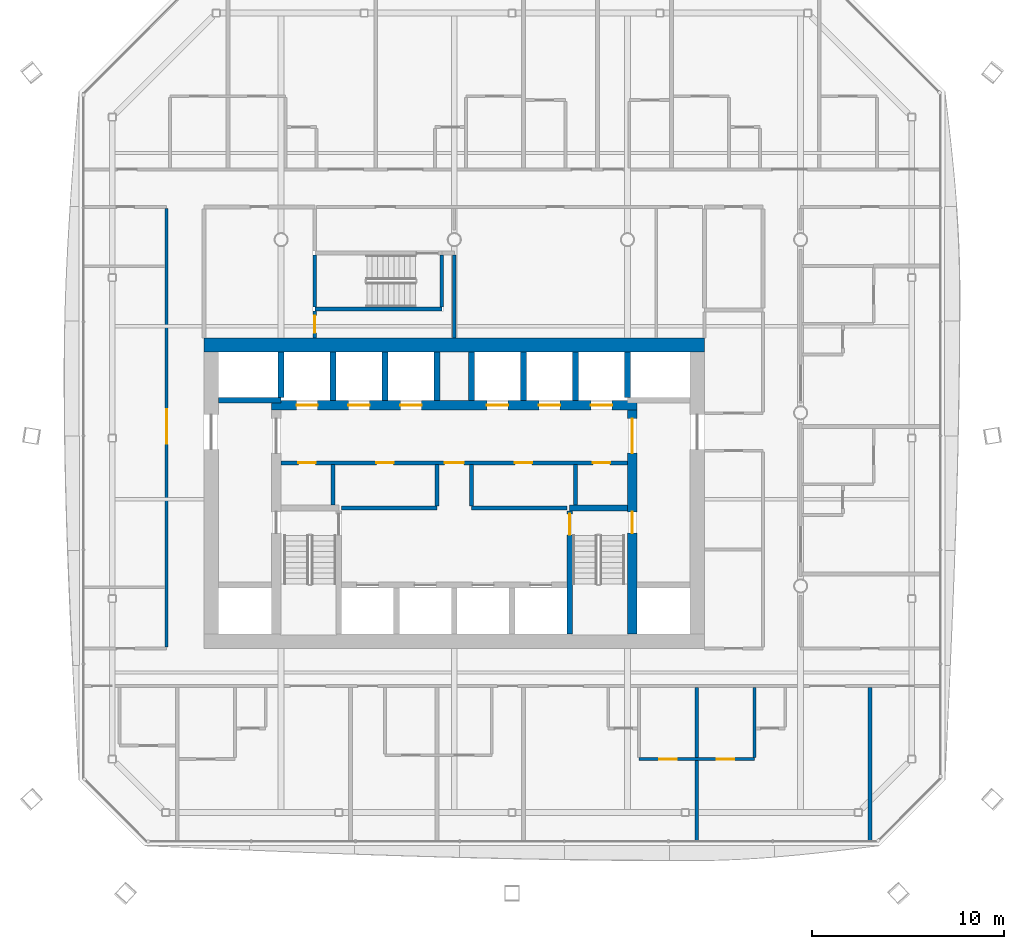
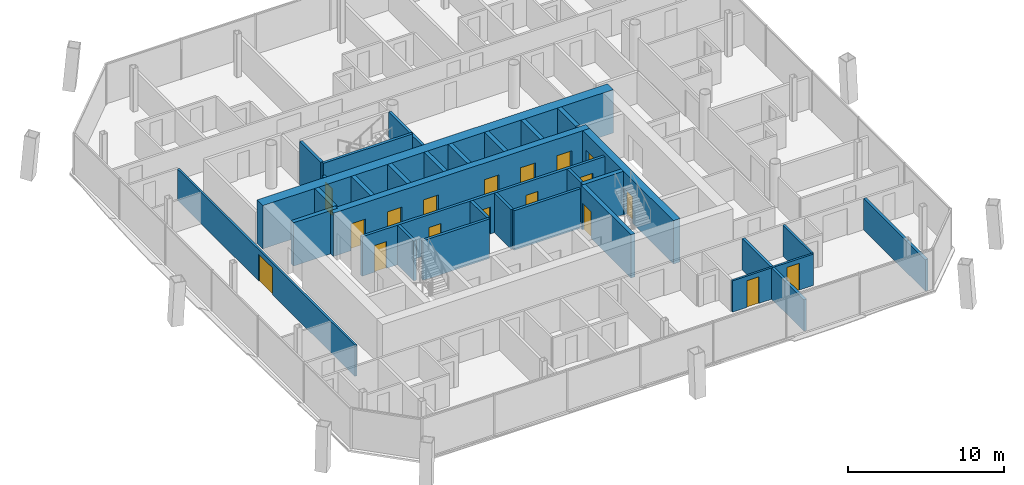
# One storey, part 14 of 21: 31 walls, 18 doors, 18 openings.
"""IFC4 building model written with IfcOpenShell, lengths in metres."""

from ifc_helpers import new_model, si_unit, direction, frame, frame_2d, origin, place, context, subcontext, project, spatial, rectangle, extrude, material, layer, layer_set, type_object, element, fill, save


model = new_model("IFC4")

# Units and contexts
model_context = context("Model", 3, precision=1e-05, world=origin(), true_north=direction((0.0, 1.0)))
body_context = subcontext(model_context, "Body", "Model", "MODEL_VIEW")
ifc_project = project(units=[si_unit("LENGTHUNIT", "METRE"), si_unit("AREAUNIT", "SQUARE_METRE"), si_unit("VOLUMEUNIT", "CUBIC_METRE"), si_unit("PLANEANGLEUNIT", "RADIAN"), si_unit("MASSUNIT", "GRAM", prefix="KILO")], contexts=[model_context])

# Site, building, storey
site_placement = place(None, origin())
site = spatial("IfcSite", under=ifc_project, at=site_placement, CompositionType="ELEMENT")
building_placement = place(site_placement, origin())
building = spatial("IfcBuilding", under=site, at=building_placement, Name="Tskaro Facet Tower", CompositionType="ELEMENT")
storey_placement = place(building_placement, frame((0.0, 0.0, 148.699951171875)))
storey = spatial("IfcBuildingStorey", under=building, at=storey_placement, Name="L36", CompositionType="ELEMENT", Elevation=148.699951171875)

# Walls
ifc_material_1 = material(Name="Concrete C60/75", Category="concrete")
ifc_layer_1 = layer(ifc_material_1, 0.300048828125, Name="Concrete C60/75")
ifc_layer_set_1 = layer_set([ifc_layer_1], Name="Concrete C60/75")
wall_type_1 = type_object("IfcWallType", Name="CORE-SHAFT", PredefinedType="SHEAR", material=ifc_layer_set_1)
wall_1_placement = place(storey_placement, frame((6.0, -4.949951171875, 0.0), z_axis=(0.0, 0.0, 1.0), x_axis=(1.0, 0.0, 0.0)))
element("IfcWall", 1, at=wall_1_placement, inside=storey, type_object=wall_type_1, Name="Shaft wall W022", PredefinedType="SHEAR", context=body_context, shape_type="SweptSolid", body=[
    extrude(rectangle(XDim=3.0, YDim=0.300048828125, at=frame_2d((1.5, 0.0))), origin(), (0.0, 0.0, 1.0), 3.400146484375),
])
wall_2_placement = place(storey_placement, frame((-9.0, 0.64990234375, 0.0), z_axis=(0.0, 0.0, 1.0), x_axis=(-1.0, 0.0, 0.0)))
element("IfcWall", 2, at=wall_2_placement, inside=storey, type_object=wall_type_1, Name="Shaft wall W028", PredefinedType="SHEAR", context=body_context, shape_type="SweptSolid", body=[
    extrude(rectangle(XDim=3.25, YDim=0.300048828125, at=frame_2d((1.625, 0.0))), origin(), (0.0, 0.0, 1.0), 3.400146484375),
])
wall_3_placement = place(storey_placement, frame((-9.0, 0.800048828125, 0.0), z_axis=(0.0, 0.0, 1.0), x_axis=(0.0, 1.0, 0.0)))
element("IfcWall", 3, at=wall_3_placement, inside=storey, type_object=wall_type_1, Name="Shaft wall W062", PredefinedType="SHEAR", context=body_context, shape_type="SweptSolid", body=[
    extrude(rectangle(XDim=2.349853515625, YDim=0.300048828125, at=frame_2d((1.1748046875, 0.0))), origin(), (0.0, 0.0, 1.0), 3.400146484375),
])
for number, where, z_axis, x_axis, name in (
    (4, (-6.300048828125, 0.64990234375, 0.0), (0.0, 0.0, 1.0), (0.0, 1.0, 0.0), "Shaft wall W069"),
    (5, (-3.60009765625, 0.64990234375, 0.0), (0.0, 0.0, 1.0), (0.0, 1.0, 0.0), "Shaft wall W074"),
    (6, (-0.89990234375, 0.64990234375, 0.0), (0.0, 0.0, 1.0), (0.0, 1.0, 0.0), "Shaft wall W079"),
    (7, (0.89990234375, 0.64990234375, 0.0), (0.0, 0.0, 1.0), (0.0, 1.0, 0.0), "Shaft wall W086"),
    (8, (3.60009765625, 0.64990234375, 0.0), (0.0, 0.0, 1.0), (0.0, 1.0, 0.0), "Shaft wall W090"),
):
    element("IfcWall", number, at=place(storey_placement, frame(where, z_axis=z_axis, x_axis=x_axis)), inside=storey, type_object=wall_type_1, Name=name, PredefinedType="SHEAR", context=body_context, shape_type="SweptSolid", body=[
        extrude(rectangle(XDim=2.5, YDim=0.300048828125, at=frame_2d((1.25, 0.0))), origin(), (0.0, 0.0, 1.0), 3.400146484375),
    ])

# Wall, opening, door
wall_4_placement = place(storey_placement, frame((6.0, -5.10009765625, 0.0), z_axis=(0.0, 0.0, 1.0), x_axis=(0.0, -1.0, 0.0)))
wall_4 = element("IfcWall", 9, at=wall_4_placement, inside=storey, type_object=wall_type_1, Name="Shaft wall W093", PredefinedType="SHEAR", context=body_context, shape_type="SweptSolid", body=[
    extrude(rectangle(XDim=6.39990234375, YDim=0.300048828125, at=frame_2d((3.199951171875, 0.0))), origin(), (0.0, 0.0, 1.0), 3.400146484375),
])
opening_1_placement = place(wall_4_placement, frame((0.14990234375, 0.0, 0.0)))
opening_1 = element("IfcOpeningElement", 10, at=opening_1_placement, cuts=wall_4, Name="Opening ST-2-D1", PredefinedType="OPENING", context=body_context, shape_type="SweptSolid", body=[
    extrude(rectangle(XDim=1.10009765625, YDim=2.10009765625, at=frame_2d((0.550048828125, 1.050048828125))), frame((0.0, 0.159912109375, 0.0), z_axis=(0.0, -1.0, 0.0), x_axis=(1.0, 0.0, 0.0)), (0.0, 0.0, 1.0), 0.320068359375),
])
ifc_material_2 = material(Name="Steel", Category="steel")
door_type_1 = type_object("IfcDoorType", Name="D-STAIR", OperationType="NOTDEFINED", PredefinedType="DOOR", material=ifc_material_2)
door_1_placement = place(opening_1_placement, origin())
door_1 = element("IfcDoor", 11, at=door_1_placement, inside=storey, type_object=door_type_1, Name="Stair door 2", OperationType="SINGLE_SWING_RIGHT", OverallHeight=2.10009765625, OverallWidth=1.10009765625, PredefinedType="DOOR", context=body_context, shape_type="SweptSolid", body=[
    extrude(rectangle(XDim=1.10009765625, YDim=2.10009765625, at=frame_2d((0.550048828125, 1.050048828125))), frame((0.0, 0.02490234375, 0.0), z_axis=(0.0, -1.0, 0.0), x_axis=(1.0, 0.0, 0.0)), (0.0, 0.0, 1.0), 0.050048828125),
])
fill(opening_1, door_1)

# Walls
wall_5_placement = place(storey_placement, frame((6.300048828125, 0.64990234375, 0.0), z_axis=(0.0, 0.0, 1.0), x_axis=(0.0, 1.0, 0.0)))
element("IfcWall", 12, at=wall_5_placement, inside=storey, type_object=wall_type_1, Name="Shaft wall W095", PredefinedType="SHEAR", context=body_context, shape_type="SweptSolid", body=[
    extrude(rectangle(XDim=2.5, YDim=0.300048828125, at=frame_2d((1.25, 0.0))), origin(), (0.0, 0.0, 1.0), 3.400146484375),
])
wall_6_placement = place(storey_placement, frame((9.0, 0.800048828125, 0.0), z_axis=(0.0, 0.0, 1.0), x_axis=(0.0, 1.0, 0.0)))
element("IfcWall", 13, at=wall_6_placement, inside=storey, type_object=wall_type_1, Name="Shaft wall W098", PredefinedType="SHEAR", context=body_context, shape_type="SweptSolid", body=[
    extrude(rectangle(XDim=2.349853515625, YDim=0.300048828125, at=frame_2d((1.1748046875, 0.0))), origin(), (0.0, 0.0, 1.0), 3.400146484375),
])
ifc_material_3 = material(Name="Concrete C20/25", Category="concrete")
ifc_layer_2 = layer(ifc_material_3, 0.199951171875, Name="Concrete C20/25")
ifc_layer_set_2 = layer_set([ifc_layer_2], Name="Concrete C20/25")
wall_type_2 = type_object("IfcWallType", Name="CORE-WALL", PredefinedType="SOLIDWALL", material=ifc_layer_set_2)
for number, where, z_axis, x_axis, name in (
    (14, (-5.85009765625, -4.949951171875, 0.0), (0.0, 0.0, 1.0), (1.0, 0.0, 0.0), "Core room wall W020"),
    (15, (0.89990234375, -4.949951171875, 0.0), (0.0, 0.0, 1.0), (1.0, 0.0, 0.0), "Core room wall W021"),
):
    element("IfcWall", number, at=place(storey_placement, frame(where, z_axis=z_axis, x_axis=x_axis)), inside=storey, type_object=wall_type_2, Name=name, PredefinedType="SOLIDWALL", context=body_context, shape_type="SweptSolid", body=[
        extrude(rectangle(XDim=4.9501953125, YDim=0.199951171875, at=frame_2d((2.47509765625, 0.0))), origin(), (0.0, 0.0, 1.0), 3.10009765625),
    ])

# Wall, openings, doors
wall_7_placement = place(storey_placement, frame((9.0, -2.60009765625, 0.0), z_axis=(0.0, 0.0, 1.0), x_axis=(-1.0, 0.0, 0.0)))
wall_7 = element("IfcWall", 16, at=wall_7_placement, inside=storey, type_object=wall_type_2, Name="Core room wall W024", PredefinedType="SOLIDWALL", context=body_context, shape_type="SweptSolid", body=[
    extrude(rectangle(XDim=18.0, YDim=0.199951171875, at=frame_2d((9.0, 0.0))), origin(), (0.0, 0.0, 1.0), 3.10009765625),
])
opening_2_placement = place(wall_7_placement, frame((8.5, 0.0, 0.0)))
opening_2 = element("IfcOpeningElement", 17, at=opening_2_placement, cuts=wall_7, Name="Opening FL-D1", PredefinedType="OPENING", context=body_context, shape_type="SweptSolid", body=[
    extrude(rectangle(XDim=1.0, YDim=2.10009765625, at=frame_2d((0.5, 1.050048828125))), frame((0.0, 0.10986328125, 0.0), z_axis=(0.0, -1.0, 0.0), x_axis=(1.0, 0.0, 0.0)), (0.0, 0.0, 1.0), 0.219970703125),
])
opening_3_placement = place(wall_7_placement, frame((16.199951171875, 0.0, 0.0)))
opening_3 = element("IfcOpeningElement", 18, at=opening_3_placement, cuts=wall_7, Name="Opening T10-D24", PredefinedType="OPENING", context=body_context, shape_type="SweptSolid", body=[
    extrude(rectangle(XDim=0.89990234375, YDim=2.10009765625, at=frame_2d((0.449951171875, 1.050048828125))), frame((0.0, 0.10986328125, 0.0), z_axis=(0.0, -1.0, 0.0), x_axis=(1.0, 0.0, 0.0)), (0.0, 0.0, 1.0), 0.219970703125),
])
opening_4_placement = place(wall_7_placement, frame((12.14990234375, 0.0, 0.0)))
opening_4 = element("IfcOpeningElement", 19, at=opening_4_placement, cuts=wall_7, Name="Opening T10-D25", PredefinedType="OPENING", context=body_context, shape_type="SweptSolid", body=[
    extrude(rectangle(XDim=0.89990234375, YDim=2.10009765625, at=frame_2d((0.449951171875, 1.050048828125))), frame((0.0, 0.10986328125, 0.0), z_axis=(0.0, -1.0, 0.0), x_axis=(1.0, 0.0, 0.0)), (0.0, 0.0, 1.0), 0.219970703125),
])
opening_5_placement = place(wall_7_placement, frame((4.949951171875, 0.0, 0.0)))
opening_5 = element("IfcOpeningElement", 20, at=opening_5_placement, cuts=wall_7, Name="Opening T10-D26", PredefinedType="OPENING", context=body_context, shape_type="SweptSolid", body=[
    extrude(rectangle(XDim=0.89990234375, YDim=2.10009765625, at=frame_2d((0.449951171875, 1.050048828125))), frame((0.0, 0.10986328125, 0.0), z_axis=(0.0, -1.0, 0.0), x_axis=(1.0, 0.0, 0.0)), (0.0, 0.0, 1.0), 0.219970703125),
])
opening_6_placement = place(wall_7_placement, frame((0.89990234375, 0.0, 0.0)))
opening_6 = element("IfcOpeningElement", 21, at=opening_6_placement, cuts=wall_7, Name="Opening T10-D27", PredefinedType="OPENING", context=body_context, shape_type="SweptSolid", body=[
    extrude(rectangle(XDim=0.89990234375, YDim=2.10009765625, at=frame_2d((0.449951171875, 1.050048828125))), frame((0.0, 0.10986328125, 0.0), z_axis=(0.0, -1.0, 0.0), x_axis=(1.0, 0.0, 0.0)), (0.0, 0.0, 1.0), 0.219970703125),
])
door_type_2 = type_object("IfcDoorType", Name="D-LOBBY", OperationType="NOTDEFINED", PredefinedType="DOOR", material=ifc_material_2)
door_2_placement = place(opening_2_placement, origin())
door_2 = element("IfcDoor", 22, at=door_2_placement, inside=storey, type_object=door_type_2, Name="Lobby door FL", OperationType="SINGLE_SWING_RIGHT", OverallHeight=2.10009765625, OverallWidth=1.0, PredefinedType="DOOR", context=body_context, shape_type="SweptSolid", body=[
    extrude(rectangle(XDim=1.0, YDim=2.10009765625, at=frame_2d((0.5, 1.050048828125))), frame((0.0, 0.02490234375, 0.0), z_axis=(0.0, -1.0, 0.0), x_axis=(1.0, 0.0, 0.0)), (0.0, 0.0, 1.0), 0.050048828125),
])
fill(opening_2, door_2)
ifc_material_4 = material(Name="Timber", Category="wood")
door_type_3 = type_object("IfcDoorType", Name="D-ROOM", OperationType="NOTDEFINED", PredefinedType="DOOR", material=ifc_material_4)
door_3_placement = place(opening_3_placement, origin())
door_3 = element("IfcDoor", 23, at=door_3_placement, inside=storey, type_object=door_type_3, Name="Door T10-D24", OperationType="SINGLE_SWING_RIGHT", OverallHeight=2.10009765625, OverallWidth=0.89990234375, PredefinedType="DOOR", context=body_context, shape_type="SweptSolid", body=[
    extrude(rectangle(XDim=0.89990234375, YDim=2.10009765625, at=frame_2d((0.449951171875, 1.050048828125))), frame((0.0, 0.02490234375, 0.0), z_axis=(0.0, -1.0, 0.0), x_axis=(1.0, 0.0, 0.0)), (0.0, 0.0, 1.0), 0.050048828125),
])
fill(opening_3, door_3)
door_4_placement = place(opening_4_placement, origin())
door_4 = element("IfcDoor", 24, at=door_4_placement, inside=storey, type_object=door_type_3, Name="Door T10-D25", OperationType="SINGLE_SWING_RIGHT", OverallHeight=2.10009765625, OverallWidth=0.89990234375, PredefinedType="DOOR", context=body_context, shape_type="SweptSolid", body=[
    extrude(rectangle(XDim=0.89990234375, YDim=2.10009765625, at=frame_2d((0.449951171875, 1.050048828125))), frame((0.0, 0.02490234375, 0.0), z_axis=(0.0, -1.0, 0.0), x_axis=(1.0, 0.0, 0.0)), (0.0, 0.0, 1.0), 0.050048828125),
])
fill(opening_4, door_4)
door_5_placement = place(opening_5_placement, origin())
door_5 = element("IfcDoor", 25, at=door_5_placement, inside=storey, type_object=door_type_3, Name="Door T10-D26", OperationType="SINGLE_SWING_RIGHT", OverallHeight=2.10009765625, OverallWidth=0.89990234375, PredefinedType="DOOR", context=body_context, shape_type="SweptSolid", body=[
    extrude(rectangle(XDim=0.89990234375, YDim=2.10009765625, at=frame_2d((0.449951171875, 1.050048828125))), frame((0.0, 0.02490234375, 0.0), z_axis=(0.0, -1.0, 0.0), x_axis=(1.0, 0.0, 0.0)), (0.0, 0.0, 1.0), 0.050048828125),
])
fill(opening_5, door_5)
door_6_placement = place(opening_6_placement, origin())
door_6 = element("IfcDoor", 26, at=door_6_placement, inside=storey, type_object=door_type_3, Name="Door T10-D27", OperationType="SINGLE_SWING_RIGHT", OverallHeight=2.10009765625, OverallWidth=0.89990234375, PredefinedType="DOOR", context=body_context, shape_type="SweptSolid", body=[
    extrude(rectangle(XDim=0.89990234375, YDim=2.10009765625, at=frame_2d((0.449951171875, 1.050048828125))), frame((0.0, 0.02490234375, 0.0), z_axis=(0.0, -1.0, 0.0), x_axis=(1.0, 0.0, 0.0)), (0.0, 0.0, 1.0), 0.050048828125),
])
fill(opening_6, door_6)

# Walls
wall_8_placement = place(storey_placement, frame((-6.300048828125, -4.800048828125, 0.0), z_axis=(0.0, 0.0, 1.0), x_axis=(0.0, 1.0, 0.0)))
element("IfcWall", 27, at=wall_8_placement, inside=storey, type_object=wall_type_2, Name="Core room wall W068", PredefinedType="SOLIDWALL", context=body_context, shape_type="SweptSolid", body=[
    extrude(rectangle(XDim=2.10009765625, YDim=0.199951171875, at=frame_2d((1.050048828125, 0.0))), origin(), (0.0, 0.0, 1.0), 3.10009765625),
])
for number, where, z_axis, x_axis, name in (
    (28, (-0.89990234375, -4.85009765625, 0.0), (0.0, 0.0, 1.0), (0.0, 1.0, 0.0), "Core room wall W078"),
    (29, (0.89990234375, -4.85009765625, 0.0), (0.0, 0.0, 1.0), (0.0, 1.0, 0.0), "Core room wall W085"),
):
    element("IfcWall", number, at=place(storey_placement, frame(where, z_axis=z_axis, x_axis=x_axis)), inside=storey, type_object=wall_type_2, Name=name, PredefinedType="SOLIDWALL", context=body_context, shape_type="SweptSolid", body=[
        extrude(rectangle(XDim=2.150146484375, YDim=0.199951171875, at=frame_2d((1.0751953125, 0.0))), origin(), (0.0, 0.0, 1.0), 3.10009765625),
    ])
wall_9_placement = place(storey_placement, frame((6.300048828125, -4.800048828125, 0.0), z_axis=(0.0, 0.0, 1.0), x_axis=(0.0, 1.0, 0.0)))
element("IfcWall", 30, at=wall_9_placement, inside=storey, type_object=wall_type_2, Name="Core room wall W094", PredefinedType="SOLIDWALL", context=body_context, shape_type="SweptSolid", body=[
    extrude(rectangle(XDim=2.10009765625, YDim=0.199951171875, at=frame_2d((1.050048828125, 0.0))), origin(), (0.0, 0.0, 1.0), 3.10009765625),
])

# Wall, openings, doors
ifc_material_5 = material(Name="Concrete C40/50", Category="concrete")
ifc_layer_3 = layer(ifc_material_5, 0.5, Name="Concrete C40/50")
ifc_layer_set_3 = layer_set([ifc_layer_3], Name="Concrete C40/50")
wall_type_3 = type_object("IfcWallType", Name="Core wall 500", PredefinedType="SHEAR", material=ifc_layer_set_3)
wall_10_placement = place(storey_placement, frame((-9.5, 0.39990234375, 0.0), z_axis=(0.0, 0.0, 1.0), x_axis=(1.0, 0.0, 0.0)))
wall_10 = element("IfcWall", 31, at=wall_10_placement, inside=storey, type_object=wall_type_3, Name="Core wall CW-Z3N", PredefinedType="SHEAR", context=body_context, shape_type="SweptSolid", body=[
    extrude(rectangle(XDim=19.0, YDim=0.5, at=frame_2d((9.5, 0.0))), origin(), (0.0, 0.0, 1.0), 3.400146484375),
])
opening_7_placement = place(wall_10_placement, frame((1.300048828125, 0.0, 0.0)))
opening_7 = element("IfcOpeningElement", 32, at=opening_7_placement, cuts=wall_10, Name="Opening LD-MB1", PredefinedType="OPENING", context=body_context, shape_type="SweptSolid", body=[
    extrude(rectangle(XDim=1.10009765625, YDim=2.10009765625, at=frame_2d((0.550048828125, 1.050048828125))), frame((0.0, 0.260009765625, 0.0), z_axis=(0.0, -1.0, 0.0), x_axis=(1.0, 0.0, 0.0)), (0.0, 0.0, 1.0), 0.52001953125),
])
opening_8_placement = place(wall_10_placement, frame((4.0, 0.0, 0.0)))
opening_8 = element("IfcOpeningElement", 33, at=opening_8_placement, cuts=wall_10, Name="Opening LD-MB2", PredefinedType="OPENING", context=body_context, shape_type="SweptSolid", body=[
    extrude(rectangle(XDim=1.10009765625, YDim=2.10009765625, at=frame_2d((0.550048828125, 1.050048828125))), frame((0.0, 0.260009765625, 0.0), z_axis=(0.0, -1.0, 0.0), x_axis=(1.0, 0.0, 0.0)), (0.0, 0.0, 1.0), 0.52001953125),
])
opening_9_placement = place(wall_10_placement, frame((6.699951171875, 0.0, 0.0)))
opening_9 = element("IfcOpeningElement", 34, at=opening_9_placement, cuts=wall_10, Name="Opening LD-MB3", PredefinedType="OPENING", context=body_context, shape_type="SweptSolid", body=[
    extrude(rectangle(XDim=1.10009765625, YDim=2.10009765625, at=frame_2d((0.550048828125, 1.050048828125))), frame((0.0, 0.260009765625, 0.0), z_axis=(0.0, -1.0, 0.0), x_axis=(1.0, 0.0, 0.0)), (0.0, 0.0, 1.0), 0.52001953125),
])
opening_10_placement = place(wall_10_placement, frame((11.199951171875, 0.0, 0.0)))
opening_10 = element("IfcOpeningElement", 35, at=opening_10_placement, cuts=wall_10, Name="Opening LD-MB4", PredefinedType="OPENING", context=body_context, shape_type="SweptSolid", body=[
    extrude(rectangle(XDim=1.10009765625, YDim=2.10009765625, at=frame_2d((0.550048828125, 1.050048828125))), frame((0.0, 0.260009765625, 0.0), z_axis=(0.0, -1.0, 0.0), x_axis=(1.0, 0.0, 0.0)), (0.0, 0.0, 1.0), 0.52001953125),
])
opening_11_placement = place(wall_10_placement, frame((13.89990234375, 0.0, 0.0)))
opening_11 = element("IfcOpeningElement", 36, at=opening_11_placement, cuts=wall_10, Name="Opening LD-MB5", PredefinedType="OPENING", context=body_context, shape_type="SweptSolid", body=[
    extrude(rectangle(XDim=1.10009765625, YDim=2.10009765625, at=frame_2d((0.550048828125, 1.050048828125))), frame((0.0, 0.260009765625, 0.0), z_axis=(0.0, -1.0, 0.0), x_axis=(1.0, 0.0, 0.0)), (0.0, 0.0, 1.0), 0.52001953125),
])
opening_12_placement = place(wall_10_placement, frame((16.60009765625, 0.0, 0.0)))
opening_12 = element("IfcOpeningElement", 37, at=opening_12_placement, cuts=wall_10, Name="Opening LD-MB6", PredefinedType="OPENING", context=body_context, shape_type="SweptSolid", body=[
    extrude(rectangle(XDim=1.10009765625, YDim=2.10009765625, at=frame_2d((0.550048828125, 1.050048828125))), frame((0.0, 0.260009765625, 0.0), z_axis=(0.0, -1.0, 0.0), x_axis=(1.0, 0.0, 0.0)), (0.0, 0.0, 1.0), 0.52001953125),
])
ifc_material_6 = material(Name="Stainless steel", Category="steel")
door_type_4 = type_object("IfcDoorType", Name="D-LANDING", OperationType="NOTDEFINED", PredefinedType="DOOR", material=ifc_material_6)
door_7_placement = place(opening_7_placement, origin())
door_7 = element("IfcDoor", 38, at=door_7_placement, inside=storey, type_object=door_type_4, Name="Landing door MB1", OperationType="DOUBLE_DOOR_SLIDING", OverallHeight=2.10009765625, OverallWidth=1.10009765625, PredefinedType="DOOR", context=body_context, shape_type="SweptSolid", body=[
    extrude(rectangle(XDim=1.10009765625, YDim=2.10009765625, at=frame_2d((0.550048828125, 1.050048828125))), frame((0.0, 0.02490234375, 0.0), z_axis=(0.0, -1.0, 0.0), x_axis=(1.0, 0.0, 0.0)), (0.0, 0.0, 1.0), 0.050048828125),
])
fill(opening_7, door_7)
door_8_placement = place(opening_8_placement, origin())
door_8 = element("IfcDoor", 39, at=door_8_placement, inside=storey, type_object=door_type_4, Name="Landing door MB2", OperationType="DOUBLE_DOOR_SLIDING", OverallHeight=2.10009765625, OverallWidth=1.10009765625, PredefinedType="DOOR", context=body_context, shape_type="SweptSolid", body=[
    extrude(rectangle(XDim=1.10009765625, YDim=2.10009765625, at=frame_2d((0.550048828125, 1.050048828125))), frame((0.0, 0.02490234375, 0.0), z_axis=(0.0, -1.0, 0.0), x_axis=(1.0, 0.0, 0.0)), (0.0, 0.0, 1.0), 0.050048828125),
])
fill(opening_8, door_8)
door_9_placement = place(opening_9_placement, origin())
door_9 = element("IfcDoor", 40, at=door_9_placement, inside=storey, type_object=door_type_4, Name="Landing door MB3", OperationType="DOUBLE_DOOR_SLIDING", OverallHeight=2.10009765625, OverallWidth=1.10009765625, PredefinedType="DOOR", context=body_context, shape_type="SweptSolid", body=[
    extrude(rectangle(XDim=1.10009765625, YDim=2.10009765625, at=frame_2d((0.550048828125, 1.050048828125))), frame((0.0, 0.02490234375, 0.0), z_axis=(0.0, -1.0, 0.0), x_axis=(1.0, 0.0, 0.0)), (0.0, 0.0, 1.0), 0.050048828125),
])
fill(opening_9, door_9)
door_10_placement = place(opening_10_placement, origin())
door_10 = element("IfcDoor", 41, at=door_10_placement, inside=storey, type_object=door_type_4, Name="Landing door MB4", OperationType="DOUBLE_DOOR_SLIDING", OverallHeight=2.10009765625, OverallWidth=1.10009765625, PredefinedType="DOOR", context=body_context, shape_type="SweptSolid", body=[
    extrude(rectangle(XDim=1.10009765625, YDim=2.10009765625, at=frame_2d((0.550048828125, 1.050048828125))), frame((0.0, 0.02490234375, 0.0), z_axis=(0.0, -1.0, 0.0), x_axis=(1.0, 0.0, 0.0)), (0.0, 0.0, 1.0), 0.050048828125),
])
fill(opening_10, door_10)
door_11_placement = place(opening_11_placement, origin())
door_11 = element("IfcDoor", 42, at=door_11_placement, inside=storey, type_object=door_type_4, Name="Landing door MB5", OperationType="DOUBLE_DOOR_SLIDING", OverallHeight=2.10009765625, OverallWidth=1.10009765625, PredefinedType="DOOR", context=body_context, shape_type="SweptSolid", body=[
    extrude(rectangle(XDim=1.10009765625, YDim=2.10009765625, at=frame_2d((0.550048828125, 1.050048828125))), frame((0.0, 0.02490234375, 0.0), z_axis=(0.0, -1.0, 0.0), x_axis=(1.0, 0.0, 0.0)), (0.0, 0.0, 1.0), 0.050048828125),
])
fill(opening_11, door_11)
door_12_placement = place(opening_12_placement, origin())
door_12 = element("IfcDoor", 43, at=door_12_placement, inside=storey, type_object=door_type_4, Name="Landing door MB6", OperationType="DOUBLE_DOOR_SLIDING", OverallHeight=2.10009765625, OverallWidth=1.10009765625, PredefinedType="DOOR", context=body_context, shape_type="SweptSolid", body=[
    extrude(rectangle(XDim=1.10009765625, YDim=2.10009765625, at=frame_2d((0.550048828125, 1.050048828125))), frame((0.0, 0.02490234375, 0.0), z_axis=(0.0, -1.0, 0.0), x_axis=(1.0, 0.0, 0.0)), (0.0, 0.0, 1.0), 0.050048828125),
])
fill(opening_12, door_12)

wall_11_placement = place(storey_placement, frame((9.25, -11.5, 0.0), z_axis=(0.0, 0.0, 1.0), x_axis=(0.0, 1.0, 0.0)))
wall_11 = element("IfcWall", 44, at=wall_11_placement, inside=storey, type_object=wall_type_3, Name="Core wall CW-Z3E", PredefinedType="SHEAR", context=body_context, shape_type="SweptSolid", body=[
    extrude(rectangle(XDim=11.64990234375, YDim=0.5, at=frame_2d((5.824951171875, 0.0))), origin(), (0.0, 0.0, 1.0), 3.400146484375),
])
opening_13_placement = place(wall_11_placement, frame((9.39990234375, 0.0, 0.0)))
opening_13 = element("IfcOpeningElement", 45, at=opening_13_placement, cuts=wall_11, Name="Opening T10-D31", PredefinedType="OPENING", context=body_context, shape_type="SweptSolid", body=[
    extrude(rectangle(XDim=1.800048828125, YDim=2.10009765625, at=frame_2d((0.89990234375, 1.050048828125))), frame((0.0, 0.260009765625, 0.0), z_axis=(0.0, -1.0, 0.0), x_axis=(1.0, 0.0, 0.0)), (0.0, 0.0, 1.0), 0.52001953125),
])
opening_14_placement = place(wall_11_placement, frame((5.25, 0.0, 0.0)))
opening_14 = element("IfcOpeningElement", 46, at=opening_14_placement, cuts=wall_11, Name="Opening ST-2-D2", PredefinedType="OPENING", context=body_context, shape_type="SweptSolid", body=[
    extrude(rectangle(XDim=1.10009765625, YDim=2.10009765625, at=frame_2d((0.550048828125, 1.050048828125))), frame((0.0, 0.260009765625, 0.0), z_axis=(0.0, -1.0, 0.0), x_axis=(1.0, 0.0, 0.0)), (0.0, 0.0, 1.0), 0.52001953125),
])
door_type_5 = type_object("IfcDoorType", Name="D-CORE-PAIR", OperationType="NOTDEFINED", PredefinedType="DOOR", material=ifc_material_2)
door_13_placement = place(opening_13_placement, origin())
door_13 = element("IfcDoor", 47, at=door_13_placement, inside=storey, type_object=door_type_5, Name="Door T10-D31", OperationType="DOUBLE_DOOR_SINGLE_SWING", OverallHeight=2.10009765625, OverallWidth=1.800048828125, PredefinedType="DOOR", context=body_context, shape_type="SweptSolid", body=[
    extrude(rectangle(XDim=1.800048828125, YDim=2.10009765625, at=frame_2d((0.89990234375, 1.050048828125))), frame((0.0, 0.02490234375, 0.0), z_axis=(0.0, -1.0, 0.0), x_axis=(1.0, 0.0, 0.0)), (0.0, 0.0, 1.0), 0.050048828125),
])
fill(opening_13, door_13)
door_14_placement = place(opening_14_placement, origin())
door_14 = element("IfcDoor", 48, at=door_14_placement, inside=storey, type_object=door_type_1, Name="Stair door 2 east", OperationType="SINGLE_SWING_LEFT", OverallHeight=2.10009765625, OverallWidth=1.10009765625, PredefinedType="DOOR", context=body_context, shape_type="SweptSolid", body=[
    extrude(rectangle(XDim=1.10009765625, YDim=2.10009765625, at=frame_2d((0.550048828125, 1.050048828125))), frame((0.0, 0.02490234375, 0.0), z_axis=(0.0, -1.0, 0.0), x_axis=(1.0, 0.0, 0.0)), (0.0, 0.0, 1.0), 0.050048828125),
])
fill(opening_14, door_14)

# Wall
ifc_material_7 = material(Name="Concrete C50/60", Category="concrete")
ifc_layer_4 = layer(ifc_material_7, 0.75, Name="Concrete C50/60")
ifc_layer_set_4 = layer_set([ifc_layer_4], Name="Concrete C50/60")
wall_type_4 = type_object("IfcWallType", Name="Core wall 750", PredefinedType="SHEAR", material=ifc_layer_set_4)
wall_12_placement = place(storey_placement, frame((-13.0, 3.52490234375, 0.0), z_axis=(0.0, 0.0, 1.0), x_axis=(1.0, 0.0, 0.0)))
element("IfcWall", 49, at=wall_12_placement, inside=storey, type_object=wall_type_4, Name="Core wall CW-Z2N", PredefinedType="SHEAR", context=body_context, shape_type="SweptSolid", body=[
    extrude(rectangle(XDim=26.0, YDim=0.75, at=frame_2d((13.0, 0.0))), origin(), (0.0, 0.0, 1.0), 3.400146484375),
])

# Wall, openings, doors
ifc_material_8 = material(Name="Gypsum board on steel studs", Category="steel")
ifc_layer_5 = layer(ifc_material_8, 0.14990234375, Name="Gypsum board on steel studs")
ifc_layer_set_5 = layer_set([ifc_layer_5], Name="Gypsum board on steel studs")
wall_type_5 = type_object("IfcWallType", Name="PART-CORR", PredefinedType="PARTITIONING", material=ifc_layer_set_5)
wall_13_placement = place(storey_placement, frame((9.60009765625, -18.0, 0.0), z_axis=(0.0, 0.0, 1.0), x_axis=(1.0, 0.0, 0.0)))
wall_13 = element("IfcWall", 50, at=wall_13_placement, inside=storey, type_object=wall_type_5, Name="Corridor wall W002", PredefinedType="PARTITIONING", context=body_context, shape_type="SweptSolid", body=[
    extrude(rectangle(XDim=6.0, YDim=0.14990234375, at=frame_2d((3.0, 0.0))), origin(), (0.0, 0.0, 1.0), 2.4599609375),
])
opening_15_placement = place(wall_13_placement, frame((1.050048828125, 0.0, 0.0)))
opening_15 = element("IfcOpeningElement", 51, at=opening_15_placement, cuts=wall_13, Name="Opening T10-D02", PredefinedType="OPENING", context=body_context, shape_type="SweptSolid", body=[
    extrude(rectangle(XDim=0.89990234375, YDim=2.10009765625, at=frame_2d((0.449951171875, 1.050048828125))), frame((0.0, 0.0849609375, 0.0), z_axis=(0.0, -1.0, 0.0), x_axis=(1.0, 0.0, 0.0)), (0.0, 0.0, 1.0), 0.169921875),
])
opening_16_placement = place(wall_13_placement, frame((4.050048828125, 0.0, 0.0)))
opening_16 = element("IfcOpeningElement", 52, at=opening_16_placement, cuts=wall_13, Name="Opening T10-D03", PredefinedType="OPENING", context=body_context, shape_type="SweptSolid", body=[
    extrude(rectangle(XDim=0.89990234375, YDim=2.10009765625, at=frame_2d((0.449951171875, 1.050048828125))), frame((0.0, 0.0849609375, 0.0), z_axis=(0.0, -1.0, 0.0), x_axis=(1.0, 0.0, 0.0)), (0.0, 0.0, 1.0), 0.169921875),
])
door_15_placement = place(opening_15_placement, origin())
door_15 = element("IfcDoor", 53, at=door_15_placement, inside=storey, type_object=door_type_3, Name="Door T10-D02", OperationType="SINGLE_SWING_LEFT", OverallHeight=2.10009765625, OverallWidth=0.89990234375, PredefinedType="DOOR", context=body_context, shape_type="SweptSolid", body=[
    extrude(rectangle(XDim=0.89990234375, YDim=2.10009765625, at=frame_2d((0.449951171875, 1.050048828125))), frame((0.0, 0.02490234375, 0.0), z_axis=(0.0, -1.0, 0.0), x_axis=(1.0, 0.0, 0.0)), (0.0, 0.0, 1.0), 0.050048828125),
])
fill(opening_15, door_15)
door_16_placement = place(opening_16_placement, origin())
door_16 = element("IfcDoor", 54, at=door_16_placement, inside=storey, type_object=door_type_3, Name="Door T10-D03", OperationType="SINGLE_SWING_LEFT", OverallHeight=2.10009765625, OverallWidth=0.89990234375, PredefinedType="DOOR", context=body_context, shape_type="SweptSolid", body=[
    extrude(rectangle(XDim=0.89990234375, YDim=2.10009765625, at=frame_2d((0.449951171875, 1.050048828125))), frame((0.0, 0.02490234375, 0.0), z_axis=(0.0, -1.0, 0.0), x_axis=(1.0, 0.0, 0.0)), (0.0, 0.0, 1.0), 0.050048828125),
])
fill(opening_16, door_16)

# Wall, opening, door
wall_14_placement = place(storey_placement, frame((-14.949951171875, -12.175048828125, 0.0), z_axis=(0.0, 0.0, 1.0), x_axis=(0.0, 1.0, 0.0)))
wall_14 = element("IfcWall", 55, at=wall_14_placement, inside=storey, type_object=wall_type_5, Name="Corridor wall W055", PredefinedType="PARTITIONING", context=body_context, shape_type="SweptSolid", body=[
    extrude(rectangle(XDim=22.800048828125, YDim=0.14990234375, at=frame_2d((11.39990234375, 0.0))), origin(), (0.0, 0.0, 1.0), 2.4599609375),
])
opening_17_placement = place(wall_14_placement, frame((10.5595703125, 0.0, 0.0)))
opening_17 = element("IfcOpeningElement", 56, at=opening_17_placement, cuts=wall_14, Name="Opening T10-D34", PredefinedType="OPENING", context=body_context, shape_type="SweptSolid", body=[
    extrude(rectangle(XDim=1.800048828125, YDim=2.10009765625, at=frame_2d((0.89990234375, 1.050048828125))), frame((0.0, 0.0849609375, 0.0), z_axis=(0.0, -1.0, 0.0), x_axis=(1.0, 0.0, 0.0)), (0.0, 0.0, 1.0), 0.169921875),
])
ifc_material_9 = material(Name="Glass", Category="glass")
door_type_6 = type_object("IfcDoorType", Name="D-ENTRY-PAIR", OperationType="NOTDEFINED", PredefinedType="DOOR", material=ifc_material_9)
door_17_placement = place(opening_17_placement, origin())
door_17 = element("IfcDoor", 57, at=door_17_placement, inside=storey, type_object=door_type_6, Name="Door T10-D34", OperationType="DOUBLE_DOOR_SINGLE_SWING", OverallHeight=2.10009765625, OverallWidth=1.800048828125, PredefinedType="DOOR", context=body_context, shape_type="SweptSolid", body=[
    extrude(rectangle(XDim=1.800048828125, YDim=2.10009765625, at=frame_2d((0.89990234375, 1.050048828125))), frame((0.0, 0.02490234375, 0.0), z_axis=(0.0, -1.0, 0.0), x_axis=(1.0, 0.0, 0.0)), (0.0, 0.0, 1.0), 0.050048828125),
])
fill(opening_17, door_17)

# Walls
wall_15_placement = place(storey_placement, frame((15.60009765625, -17.925048828125, 0.0), z_axis=(0.0, 0.0, 1.0), x_axis=(0.0, 1.0, 0.0)))
element("IfcWall", 58, at=wall_15_placement, inside=storey, type_object=wall_type_5, Name="Corridor wall W107", PredefinedType="PARTITIONING", context=body_context, shape_type="SweptSolid", body=[
    extrude(rectangle(XDim=3.650146484375, YDim=0.14990234375, at=frame_2d((1.8251953125, 0.0))), origin(), (0.0, 0.0, 1.0), 2.4599609375),
])
ifc_layer_6 = layer(ifc_material_8, 0.199951171875, Name="Gypsum board on steel studs")
ifc_layer_set_6 = layer_set([ifc_layer_6], Name="Gypsum board on steel studs")
wall_type_6 = type_object("IfcWallType", Name="PART-DEMISING", PredefinedType="PARTITIONING", material=ifc_layer_set_6)
for number, where, z_axis, x_axis, name in (
    (59, (12.60009765625, -22.221923828125, 0.0), (0.0, 0.0, 1.0), (0.0, 1.0, 0.0), "Guest room wall W103"),
    (60, (21.59912109375, -22.221923828125, 0.0), (0.0, 0.0, 1.0), (0.0, 1.0, 0.0), "Guest room wall W120"),
):
    element("IfcWall", number, at=place(storey_placement, frame(where, z_axis=z_axis, x_axis=x_axis)), inside=storey, type_object=wall_type_6, Name=name, PredefinedType="PARTITIONING", context=body_context, shape_type="SweptSolid", body=[
        extrude(rectangle(XDim=7.947021484375, YDim=0.199951171875, at=frame_2d((3.9736328125, 0.0))), origin(), (0.0, 0.0, 1.0), 2.4599609375),
    ])
ifc_layer_7 = layer(ifc_material_1, 0.199951171875, Name="Concrete C60/75")
ifc_layer_set_7 = layer_set([ifc_layer_7], Name="Concrete C60/75")
wall_type_7 = type_object("IfcWallType", Name="STAIR-WALL", PredefinedType="SHEAR", material=ifc_layer_set_7)
wall_16_placement = place(storey_placement, frame((-7.25, 5.39990234375, 0.0), z_axis=(0.0, 0.0, 1.0), x_axis=(1.0, 0.0, 0.0)))
element("IfcWall", 61, at=wall_16_placement, inside=storey, type_object=wall_type_7, Name="Stair wall W033", PredefinedType="SHEAR", context=body_context, shape_type="SweptSolid", body=[
    extrude(rectangle(XDim=6.60009765625, YDim=0.199951171875, at=frame_2d((3.300048828125, 0.0))), origin(), (0.0, 0.0, 1.0), 3.400146484375),
])
for number, where, z_axis, x_axis, name in (
    (62, (-7.25, 5.5, 0.0), (0.0, 0.0, 1.0), (0.0, 1.0, 0.0), "Stair wall W065"),
    (63, (-0.64990234375, 5.5, 0.0), (0.0, 0.0, 1.0), (0.0, 1.0, 0.0), "Stair wall W080"),
):
    element("IfcWall", number, at=place(storey_placement, frame(where, z_axis=z_axis, x_axis=x_axis)), inside=storey, type_object=wall_type_7, Name=name, PredefinedType="SHEAR", context=body_context, shape_type="SweptSolid", body=[
        extrude(rectangle(XDim=2.699951171875, YDim=0.199951171875, at=frame_2d((1.35009765625, 0.0))), origin(), (0.0, 0.0, 1.0), 3.400146484375),
    ])

# Wall, opening, door
ifc_layer_8 = layer(ifc_material_3, 0.199951171875, Name="Concrete C20/25")
ifc_layer_set_8 = layer_set([ifc_layer_8], Name="Concrete C20/25")
wall_type_8 = type_object("IfcWallType", Name="WALL-RISER", PredefinedType="SOLIDWALL", material=ifc_layer_set_8)
wall_17_placement = place(storey_placement, frame((-7.25, 5.300048828125, 0.0), z_axis=(0.0, 0.0, 1.0), x_axis=(0.0, -1.0, 0.0)))
wall_17 = element("IfcWall", 64, at=wall_17_placement, inside=storey, type_object=wall_type_8, Name="Riser room wall W064", PredefinedType="SOLIDWALL", context=body_context, shape_type="SweptSolid", body=[
    extrude(rectangle(XDim=1.400146484375, YDim=0.199951171875, at=frame_2d((0.7001953125, 0.0))), origin(), (0.0, 0.0, 1.0), 2.4599609375),
])
opening_18_placement = place(wall_17_placement, frame((0.25, 0.0, 0.0)))
opening_18 = element("IfcOpeningElement", 65, at=opening_18_placement, cuts=wall_17, Name="Opening T10-D40", PredefinedType="OPENING", context=body_context, shape_type="SweptSolid", body=[
    extrude(rectangle(XDim=0.89990234375, YDim=2.10009765625, at=frame_2d((0.449951171875, 1.050048828125))), frame((0.0, 0.10986328125, 0.0), z_axis=(0.0, -1.0, 0.0), x_axis=(1.0, 0.0, 0.0)), (0.0, 0.0, 1.0), 0.219970703125),
])
door_type_7 = type_object("IfcDoorType", Name="D-RISER", OperationType="NOTDEFINED", PredefinedType="DOOR", material=ifc_material_2)
door_18_placement = place(opening_18_placement, origin())
door_18 = element("IfcDoor", 66, at=door_18_placement, inside=storey, type_object=door_type_7, Name="Door T10-D40", OperationType="SINGLE_SWING_RIGHT", OverallHeight=2.10009765625, OverallWidth=0.89990234375, PredefinedType="DOOR", context=body_context, shape_type="SweptSolid", body=[
    extrude(rectangle(XDim=0.89990234375, YDim=2.10009765625, at=frame_2d((0.449951171875, 1.050048828125))), frame((0.0, 0.02490234375, 0.0), z_axis=(0.0, -1.0, 0.0), x_axis=(1.0, 0.0, 0.0)), (0.0, 0.0, 1.0), 0.050048828125),
])
fill(opening_18, door_18)

# Wall
wall_18_placement = place(storey_placement, frame((0.0, 3.89990234375, 0.0), z_axis=(0.0, 0.0, 1.0), x_axis=(0.0, 1.0, 0.0)))
element("IfcWall", 67, at=wall_18_placement, inside=storey, type_object=wall_type_8, Name="Riser room wall W082", PredefinedType="SOLIDWALL", context=body_context, shape_type="SweptSolid", body=[
    extrude(rectangle(XDim=4.300048828125, YDim=0.199951171875, at=frame_2d((2.14990234375, 0.0))), origin(), (0.0, 0.0, 1.0), 2.4599609375),
])

save(model, "model.ifc")
